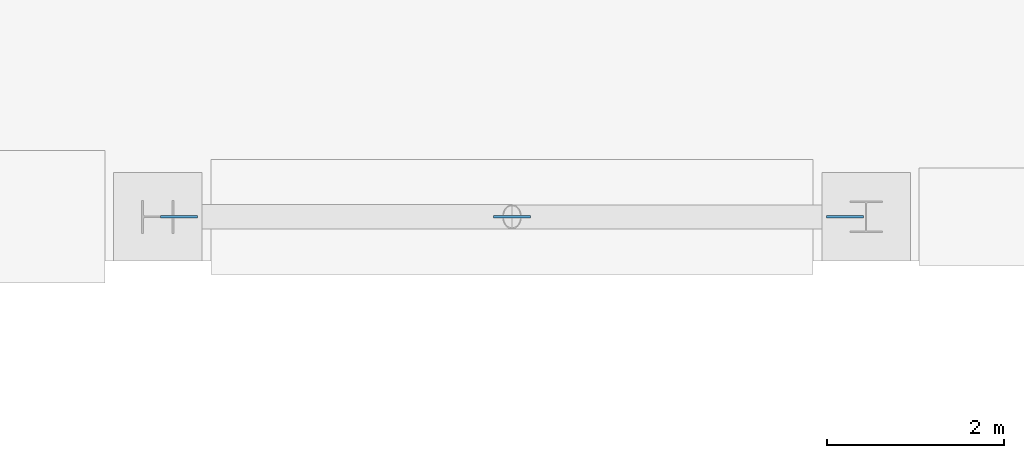
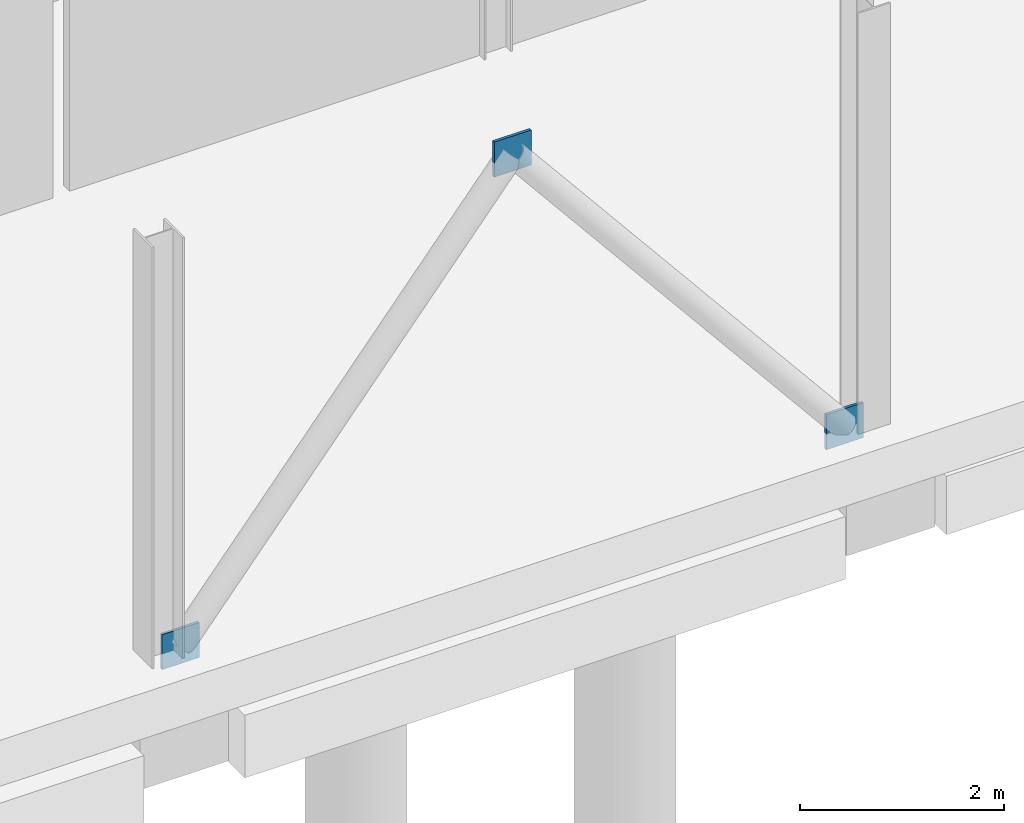
# One storey, part 28 of 33: 3 discrete accessories.
"""IFC4 building model written with IfcOpenShell, lengths in metres."""

import ifcopenshell
import ifcopenshell.guid

model = None  # the IFC model being written
_history = None  # IfcOwnerHistory: only IFC2X3 demands one
_inside = {}  # id of a spatial element -> (the spatial element, [elements in it])
_under = {}  # id of a project, library or spatial element -> (it, [spatial elements below it])
_declared = {}  # id of a project -> (the project, [libraries it declares])
_typed = {}  # id of a type object -> (the type object, [elements of that type])
_made_of = {}  # id of a material, layer set ... -> (it, [elements and type objects made of it])


def new_model(schema):
    """Start an empty IFC model of exactly this schema.

    Asked for "IFC4X3", IfcOpenShell would pick the latest addendum, in which some entities
    have other attributes; the version numbers below select the first issue.
    IFC2X3 requires an IfcOwnerHistory on every rooted entity: one is made here for all.
    """
    global model, _history
    if schema == "IFC4X3":
        model = ifcopenshell.file(schema_version=(4, 3, 0, 0))
    else:
        model = ifcopenshell.file(schema=schema)
    _inside.clear()
    _under.clear()
    _declared.clear()
    _typed.clear()
    _made_of.clear()
    _history = None
    if model.schema == "IFC2X3":
        org = make("IfcOrganization", Name="unknown")
        user = make(
            "IfcPersonAndOrganization",
            ThePerson=make("IfcPerson", FamilyName="unknown"),
            TheOrganization=org,
        )
        app = make(
            "IfcApplication",
            ApplicationDeveloper=org,
            Version="unknown",
            ApplicationFullName="unknown",
            ApplicationIdentifier="unknown",
        )
        _history = make(
            "IfcOwnerHistory",
            OwningUser=user,
            OwningApplication=app,
            ChangeAction="ADDED",
            CreationDate=0,
        )
    return model


def make(cls, **values):
    """One entity of the class cls with the attributes given. An attribute that is None is left unset."""
    return model.create_entity(
        cls, **{name: value for name, value in values.items() if value is not None}
    )


def rooted(cls, **values):
    """An entity with a GlobalId (a new one), such as an element, a storey or a relation."""
    return make(cls, GlobalId=ifcopenshell.guid.new(), OwnerHistory=_history, **values)


def si_unit(unit_type, name, prefix=None):
    """IfcSIUnit, for example si_unit("LENGTHUNIT", "METRE", prefix="MILLI")."""
    return make("IfcSIUnit", UnitType=unit_type, Prefix=prefix, Name=name)


def assignment(units):
    """IfcUnitAssignment: the units of a project."""
    return None if units is None else make("IfcUnitAssignment", Units=units)


def point(xyz):
    """IfcCartesianPoint."""
    return None if xyz is None else make("IfcCartesianPoint", Coordinates=xyz)


def direction(xyz):
    """IfcDirection."""
    return None if xyz is None else make("IfcDirection", DirectionRatios=xyz)


def frame(location, z_axis=None, x_axis=None):
    """IfcAxis2Placement3D, a coordinate frame: its origin and axes. An axis left out is left unset."""
    return make(
        "IfcAxis2Placement3D",
        Location=point(location),
        Axis=direction(z_axis),
        RefDirection=direction(x_axis),
    )


def frame_2d(location, x_axis=None):
    """IfcAxis2Placement2D, a coordinate frame in the plane: its origin and x axis."""
    return make(
        "IfcAxis2Placement2D", Location=point(location), RefDirection=direction(x_axis)
    )


def origin():
    """The frame at (0, 0, 0) with its axes left unset."""
    return frame((0.0, 0.0, 0.0))


def origin_2d():
    """The frame at (0, 0) in the plane with its x axis left unset."""
    return frame_2d((0.0, 0.0))


def place(relative_to, where):
    """IfcLocalPlacement: puts the frame where relative to a parent placement (None: the world)."""
    return make(
        "IfcLocalPlacement", PlacementRelTo=relative_to, RelativePlacement=where
    )


def context(
    kind, dimensions, precision=None, world=None, true_north=None, identifier=None
):
    """IfcGeometricRepresentationContext, for example the 3D "Model" context."""
    return make(
        "IfcGeometricRepresentationContext",
        ContextIdentifier=identifier,
        ContextType=kind,
        CoordinateSpaceDimension=dimensions,
        Precision=precision,
        WorldCoordinateSystem=world,
        TrueNorth=true_north,
    )


def subcontext(parent, identifier, kind, view, scale=None):
    """IfcGeometricRepresentationSubContext, for example "Body" below "Model"."""
    return make(
        "IfcGeometricRepresentationSubContext",
        ContextIdentifier=identifier,
        ContextType=kind,
        ParentContext=parent,
        TargetScale=scale,
        TargetView=view,
    )


def project(units=None, contexts=None):
    """IfcProject with its units and contexts."""
    return rooted(
        "IfcProject",
        Name="project",
        RepresentationContexts=contexts,
        UnitsInContext=assignment(units),
    )


def spatial(cls, under=None, at=None, **own):
    """A site, building, storey or space (cls), placed at a placement, below another one or the project."""
    s = rooted(cls, ObjectPlacement=at, **own)
    if under is not None:
        _under.setdefault(under.id(), (under, []))[1].append(s)
    return s


def profile(cls, at=None, kind="AREA", **sizes):
    """A parametric profile (cls). Its sizes go by their IFC names, for example OverallWidth=200.0."""
    return make(cls, ProfileType=kind, Position=at, **sizes)


def rectangle(**sizes):
    """IfcRectangleProfileDef."""
    return profile("IfcRectangleProfileDef", **sizes)


def extrude(swept, where, along, depth):
    """IfcExtrudedAreaSolid: the profile swept, set in the frame where, extruded along a direction by depth."""
    return make(
        "IfcExtrudedAreaSolid",
        SweptArea=swept,
        Position=where,
        ExtrudedDirection=direction(along),
        Depth=depth,
    )


def shape(context_of_items, identifier, shape_type, items):
    """IfcShapeRepresentation: the items that make up one representation, for example the "Body"."""
    return make(
        "IfcShapeRepresentation",
        ContextOfItems=context_of_items,
        RepresentationIdentifier=identifier,
        RepresentationType=shape_type,
        Items=items,
    )


def material(Name=None, Category=None):
    """IfcMaterial."""
    return make("IfcMaterial", Name=Name, Category=Category)


def made_of(thing, what):
    """Note that an element or type object is made of a material, layer set ...; save() writes the relation."""
    if what is not None:
        _made_of.setdefault(what.id(), (what, []))[1].append(thing)
    return thing


def type_object(cls, material=None, **own):
    """A type object (cls), such as IfcWallType, which elements share."""
    return made_of(rooted(cls, **own), material)


def element(
    cls,
    number,
    at=None,
    inside=None,
    cuts=None,
    type_object=None,
    material=None,
    context=None,
    identifier="Body",
    shape_type=None,
    held_by="IfcProductDefinitionShape",
    body=None,
    shapes=None,
    **own,
):
    """One element of the class cls, such as IfcWall. Its Tag is "e" and its number.

    at: its placement. inside: the storey or other place that contains it. cuts: it is an
    opening in that element (IfcRelVoidsElement). A single representation is given by context,
    identifier, shape_type and body (its items); several are given by shapes. held_by: the class
    of the entity that holds the representations. save() writes the other relations.
    """
    e = rooted(cls, Tag="e%d" % number, ObjectPlacement=at, **own)
    if body is not None:
        shapes = [shape(context, identifier, shape_type, body)]
    if shapes is not None:
        e.Representation = make(held_by, Representations=shapes)
    if inside is not None:
        _inside.setdefault(inside.id(), (inside, []))[1].append(e)
    if cuts is not None:
        rooted(
            "IfcRelVoidsElement", RelatingBuildingElement=cuts, RelatedOpeningElement=e
        )
    if type_object is not None:
        _typed.setdefault(type_object.id(), (type_object, []))[1].append(e)
    return made_of(e, material)


def aggregate(whole, parts):
    """IfcRelAggregates: a whole, such as a stair, and the parts it consists of."""
    return rooted("IfcRelAggregates", RelatingObject=whole, RelatedObjects=parts)


def save(model, path):
    """Write the relations noted so far, then the file.

    IfcRelAggregates (storeys below a building ...), IfcRelContainedInSpatialStructure (elements
    in a storey), IfcRelDefinesByType, IfcRelAssociatesMaterial and IfcRelDeclares: one each for
    every whole, place, type object, material and project.
    """
    for whole, parts in _under.values():
        aggregate(whole, parts)
    for where, things in _inside.values():
        rooted(
            "IfcRelContainedInSpatialStructure",
            RelatedElements=things,
            RelatingStructure=where,
        )
    for kind, things in _typed.values():
        rooted("IfcRelDefinesByType", RelatedObjects=things, RelatingType=kind)
    for what, things in _made_of.values():
        rooted("IfcRelAssociatesMaterial", RelatedObjects=things, RelatingMaterial=what)
    for by, libraries in _declared.values():
        rooted("IfcRelDeclares", RelatingContext=by, RelatedDefinitions=libraries)
    model.write(path)


model = new_model("IFC4")

# Units and contexts
model_context = context("Model", 3, precision=1e-05, world=origin(), true_north=direction((0.0, 1.0)))
body_context = subcontext(model_context, "Body", "Model", "MODEL_VIEW")
ifc_project = project(units=[si_unit("LENGTHUNIT", "METRE"), si_unit("AREAUNIT", "SQUARE_METRE"), si_unit("VOLUMEUNIT", "CUBIC_METRE"), si_unit("PLANEANGLEUNIT", "RADIAN"), si_unit("MASSUNIT", "GRAM", prefix="KILO")], contexts=[model_context])

# Site, building, storey
site_placement = place(None, origin())
site = spatial("IfcSite", under=ifc_project, at=site_placement, CompositionType="ELEMENT")
building_placement = place(site_placement, origin())
building = spatial("IfcBuilding", under=site, at=building_placement, Name="Brisemont Oceanarium", CompositionType="ELEMENT")
storey_placement = place(building_placement, frame((0.0, 0.0, -5.39990234375)))
storey = spatial("IfcBuildingStorey", under=building, at=storey_placement, Name="B01", CompositionType="ELEMENT", Elevation=-5.39990234375)

# Discrete accessories
ifc_material = material(Name="Structural Steel ASTM A572 Gr.50", Category="steel")
discrete_accessory_type = type_object("IfcDiscreteAccessoryType", Name="ACC-CAP-STL", PredefinedType="ANCHORPLATE", material=ifc_material)
for number, where, z_axis, x_axis, name in (
    (1, (40.239990234375, 80.64990234375, -0.18994140625), (0.0, 0.0, 1.0), (1.0, 0.0, 0.0), "V7W B01 chevron brace gusset connection WL"),
    (2, (47.760009765625, 80.64990234375, -0.18994140625), (0.0, 0.0, 1.0), (1.0, 0.0, 0.0), "V7W B01 chevron brace gusset connection ER"),
    (3, (44.0, 80.64990234375, 4.389892578125), (0.0, 0.0, 1.0), (1.0, 0.0, 0.0), "V7W B01 chevron brace gusset connection AP"),
):
    element("IfcDiscreteAccessory", number, at=place(storey_placement, frame(where, z_axis=z_axis, x_axis=x_axis)), inside=storey, type_object=discrete_accessory_type, Name=name, PredefinedType="ANCHORPLATE", context=body_context, shape_type="SweptSolid", body=[
        extrude(rectangle(XDim=0.419921875, YDim=0.031982421875, at=origin_2d()), origin(), (0.0, 0.0, 1.0), 0.419921875),
    ])

save(model, "model.ifc")
